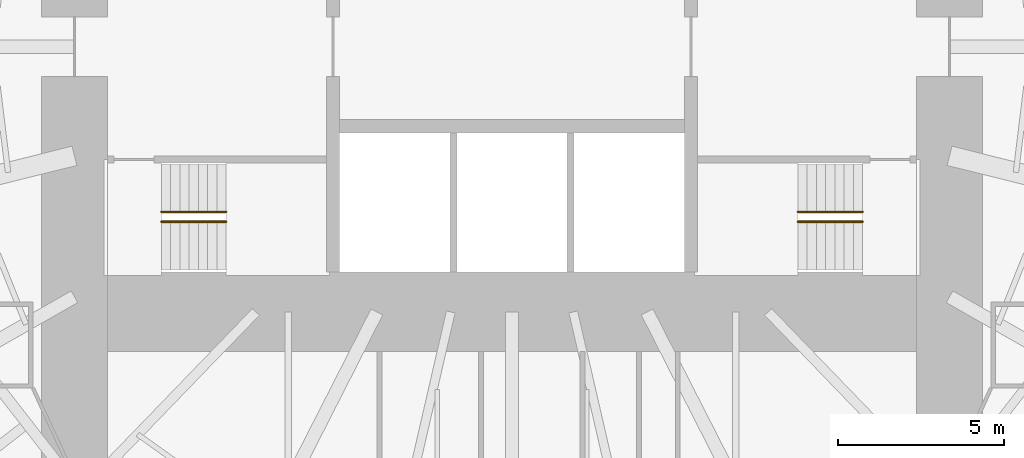
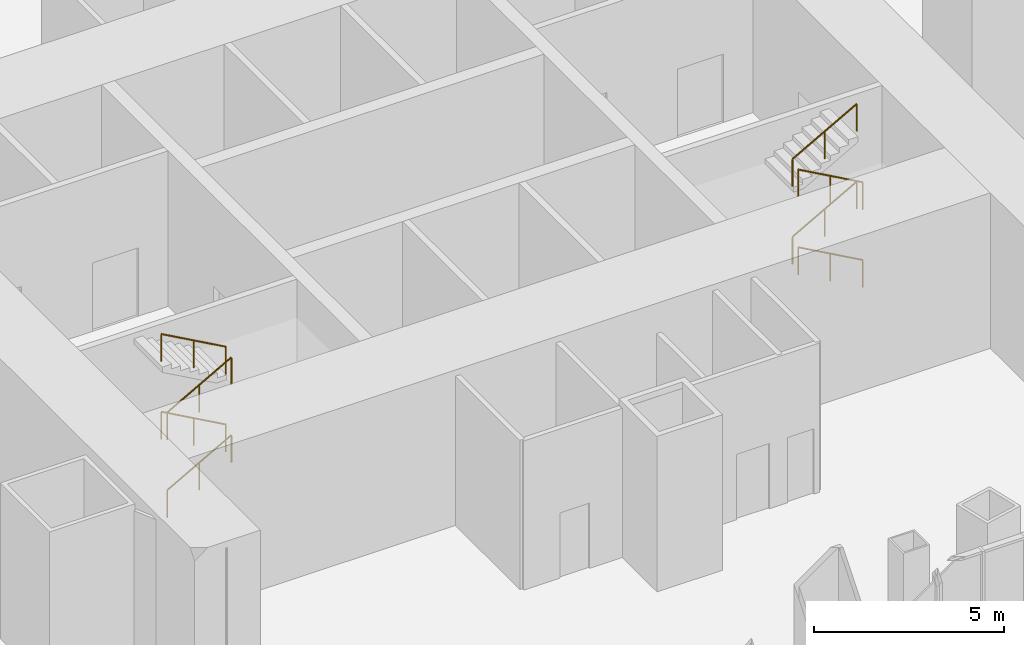
# One storey, part 73 of 73: 8 railings.
"""IFC4 building model written with IfcOpenShell, lengths in metres."""

from ifc_helpers import new_model, si_unit, direction, frame, origin, origin_2d, place, context, subcontext, project, spatial, circle, extrude, material, type_object, element, save


model = new_model("IFC4")

# Units and contexts
model_context = context("Model", 3, precision=1e-05, world=origin(), true_north=direction((0.0, 1.0)))
body_context = subcontext(model_context, "Body", "Model", "MODEL_VIEW")
ifc_project = project(units=[si_unit("LENGTHUNIT", "METRE"), si_unit("AREAUNIT", "SQUARE_METRE"), si_unit("VOLUMEUNIT", "CUBIC_METRE"), si_unit("PLANEANGLEUNIT", "RADIAN"), si_unit("MASSUNIT", "GRAM", prefix="KILO")], contexts=[model_context])

# Site, building, storey
site_placement = place(None, origin())
site = spatial("IfcSite", under=ifc_project, at=site_placement, CompositionType="ELEMENT")
building_placement = place(site_placement, origin())
building = spatial("IfcBuilding", under=site, at=building_placement, Name="Lantaw Convention Tower", CompositionType="ELEMENT")
storey_placement = place(building_placement, frame((0.0, 0.0, 27.0)))
storey = spatial("IfcBuildingStorey", under=building, at=storey_placement, Name="L04", CompositionType="ELEMENT", Elevation=27.0)

# Railings
ifc_material = material(Name="Stainless steel", Category="steel")
railing_type = type_object("IfcRailingType", Name="Stair handrail", PredefinedType="HANDRAIL", material=ifc_material)
railing_1_placement = place(storey_placement, frame((-10.580078125, -5.280029296875, 0.15625)))
element("IfcRailing", 1, at=railing_1_placement, inside=storey, type_object=railing_type, Name="Stair handrail S1", PredefinedType="HANDRAIL", context=body_context, shape_type="SweptSolid", body=[
    extrude(circle(Radius=0.02392578125, at=origin_2d()), frame((0.0, 0.0, 0.8759765625), z_axis=(0.873232148454, 0.0, 0.487304437602), x_axis=(0.0, 1.0, 0.0)), (0.0, 0.0, 1.0), 2.244384765625),
    extrude(circle(Radius=0.02099609375, at=origin_2d()), origin(), (0.0, 0.0, 1.0), 0.851806640625),
    extrude(circle(Radius=0.02099609375, at=origin_2d()), frame((0.97998046875, 0.0, 0.546875)), (0.0, 0.0, 1.0), 0.851806640625),
    extrude(circle(Radius=0.02099609375, at=origin_2d()), frame((1.9599609375, 0.0, 1.09375)), (0.0, 0.0, 1.0), 0.851806640625),
])
railing_2_placement = place(storey_placement, frame((-8.6201171875, -4.97998046875, 1.40625)))
element("IfcRailing", 2, at=railing_2_placement, inside=storey, type_object=railing_type, Name="Stair handrail S1", PredefinedType="HANDRAIL", context=body_context, shape_type="SweptSolid", body=[
    extrude(circle(Radius=0.02392578125, at=origin_2d()), frame((0.0, 0.0, 0.8759765625), z_axis=(-0.873232148454, 0.0, 0.487304437602), x_axis=(0.0, -1.0, 0.0)), (0.0, 0.0, 1.0), 2.244384765625),
    extrude(circle(Radius=0.02099609375, at=origin_2d()), origin(), (0.0, 0.0, 1.0), 0.851806640625),
    extrude(circle(Radius=0.02099609375, at=origin_2d()), frame((-0.97998046875, 0.0, 0.546875)), (0.0, 0.0, 1.0), 0.851806640625),
    extrude(circle(Radius=0.02099609375, at=origin_2d()), frame((-1.9599609375, 0.0, 1.09375)), (0.0, 0.0, 1.0), 0.851806640625),
])
railing_3_placement = place(storey_placement, frame((-10.580078125, -5.280029296875, 2.65625)))
element("IfcRailing", 3, at=railing_3_placement, inside=storey, type_object=railing_type, Name="Stair handrail S1", PredefinedType="HANDRAIL", context=body_context, shape_type="SweptSolid", body=[
    extrude(circle(Radius=0.02392578125, at=origin_2d()), frame((0.0, 0.0, 0.8759765625), z_axis=(0.873232148454, 0.0, 0.487304437602), x_axis=(0.0, 1.0, 0.0)), (0.0, 0.0, 1.0), 2.244384765625),
    extrude(circle(Radius=0.02099609375, at=origin_2d()), origin(), (0.0, 0.0, 1.0), 0.851806640625),
    extrude(circle(Radius=0.02099609375, at=origin_2d()), frame((0.97998046875, 0.0, 0.546875)), (0.0, 0.0, 1.0), 0.851806640625),
    extrude(circle(Radius=0.02099609375, at=origin_2d()), frame((1.9599609375, 0.0, 1.09375)), (0.0, 0.0, 1.0), 0.851806640625),
])
for number, where, name in (
    (4, (-8.6201171875, -4.97998046875, 3.90625), "Stair handrail S1"),
    (5, (10.580078125, -5.280029296875, 0.15625), "Stair handrail S2"),
):
    element("IfcRailing", number, at=place(storey_placement, frame(where)), inside=storey, type_object=railing_type, Name=name, PredefinedType="HANDRAIL", context=body_context, shape_type="SweptSolid", body=[
        extrude(circle(Radius=0.02392578125, at=origin_2d()), frame((0.0, 0.0, 0.8759765625), z_axis=(-0.873232148454, 0.0, 0.487304437602), x_axis=(0.0, -1.0, 0.0)), (0.0, 0.0, 1.0), 2.244384765625),
        extrude(circle(Radius=0.02099609375, at=origin_2d()), origin(), (0.0, 0.0, 1.0), 0.851806640625),
        extrude(circle(Radius=0.02099609375, at=origin_2d()), frame((-0.97998046875, 0.0, 0.546875)), (0.0, 0.0, 1.0), 0.851806640625),
        extrude(circle(Radius=0.02099609375, at=origin_2d()), frame((-1.9599609375, 0.0, 1.09375)), (0.0, 0.0, 1.0), 0.851806640625),
    ])
railing_4_placement = place(storey_placement, frame((8.6201171875, -4.97998046875, 1.40625)))
element("IfcRailing", 6, at=railing_4_placement, inside=storey, type_object=railing_type, Name="Stair handrail S2", PredefinedType="HANDRAIL", context=body_context, shape_type="SweptSolid", body=[
    extrude(circle(Radius=0.02392578125, at=origin_2d()), frame((0.0, 0.0, 0.8759765625), z_axis=(0.873232148454, 0.0, 0.487304437602), x_axis=(0.0, 1.0, 0.0)), (0.0, 0.0, 1.0), 2.244384765625),
    extrude(circle(Radius=0.02099609375, at=origin_2d()), origin(), (0.0, 0.0, 1.0), 0.851806640625),
    extrude(circle(Radius=0.02099609375, at=origin_2d()), frame((0.97998046875, 0.0, 0.546875)), (0.0, 0.0, 1.0), 0.851806640625),
    extrude(circle(Radius=0.02099609375, at=origin_2d()), frame((1.9599609375, 0.0, 1.09375)), (0.0, 0.0, 1.0), 0.851806640625),
])
railing_5_placement = place(storey_placement, frame((10.580078125, -5.280029296875, 2.65625)))
element("IfcRailing", 7, at=railing_5_placement, inside=storey, type_object=railing_type, Name="Stair handrail S2", PredefinedType="HANDRAIL", context=body_context, shape_type="SweptSolid", body=[
    extrude(circle(Radius=0.02392578125, at=origin_2d()), frame((0.0, 0.0, 0.8759765625), z_axis=(-0.873232148454, 0.0, 0.487304437602), x_axis=(0.0, -1.0, 0.0)), (0.0, 0.0, 1.0), 2.244384765625),
    extrude(circle(Radius=0.02099609375, at=origin_2d()), origin(), (0.0, 0.0, 1.0), 0.851806640625),
    extrude(circle(Radius=0.02099609375, at=origin_2d()), frame((-0.97998046875, 0.0, 0.546875)), (0.0, 0.0, 1.0), 0.851806640625),
    extrude(circle(Radius=0.02099609375, at=origin_2d()), frame((-1.9599609375, 0.0, 1.09375)), (0.0, 0.0, 1.0), 0.851806640625),
])
railing_6_placement = place(storey_placement, frame((8.6201171875, -4.97998046875, 3.90625)))
element("IfcRailing", 8, at=railing_6_placement, inside=storey, type_object=railing_type, Name="Stair handrail S2", PredefinedType="HANDRAIL", context=body_context, shape_type="SweptSolid", body=[
    extrude(circle(Radius=0.02392578125, at=origin_2d()), frame((0.0, 0.0, 0.8759765625), z_axis=(0.873232148454, 0.0, 0.487304437602), x_axis=(0.0, 1.0, 0.0)), (0.0, 0.0, 1.0), 2.244384765625),
    extrude(circle(Radius=0.02099609375, at=origin_2d()), origin(), (0.0, 0.0, 1.0), 0.851806640625),
    extrude(circle(Radius=0.02099609375, at=origin_2d()), frame((0.97998046875, 0.0, 0.546875)), (0.0, 0.0, 1.0), 0.851806640625),
    extrude(circle(Radius=0.02099609375, at=origin_2d()), frame((1.9599609375, 0.0, 1.09375)), (0.0, 0.0, 1.0), 0.851806640625),
])

save(model, "model.ifc")
